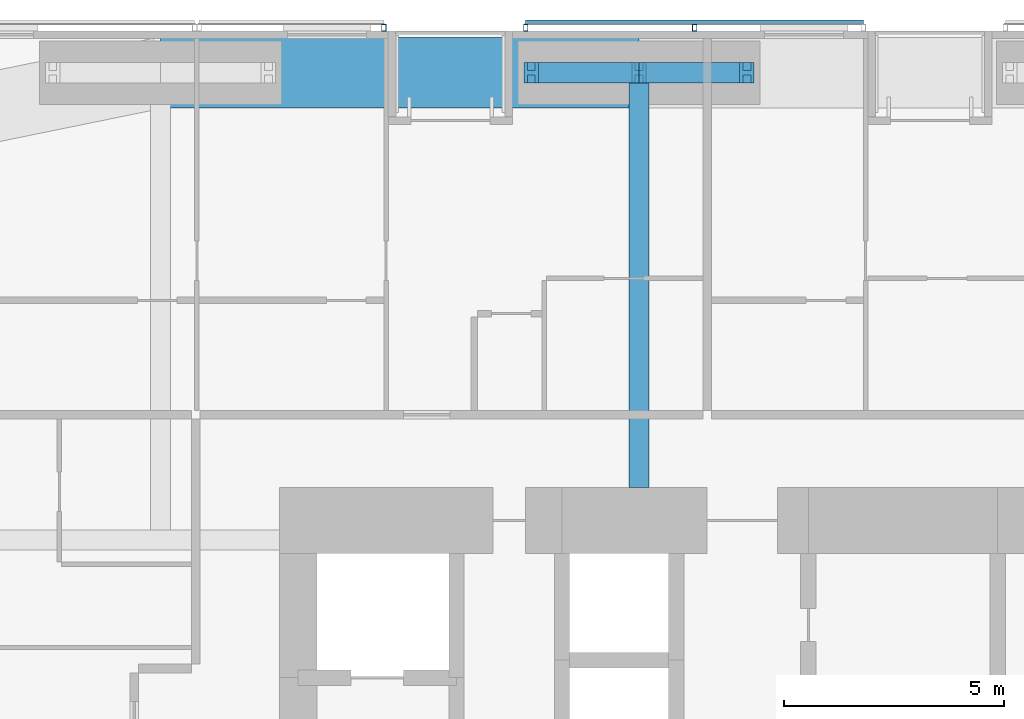
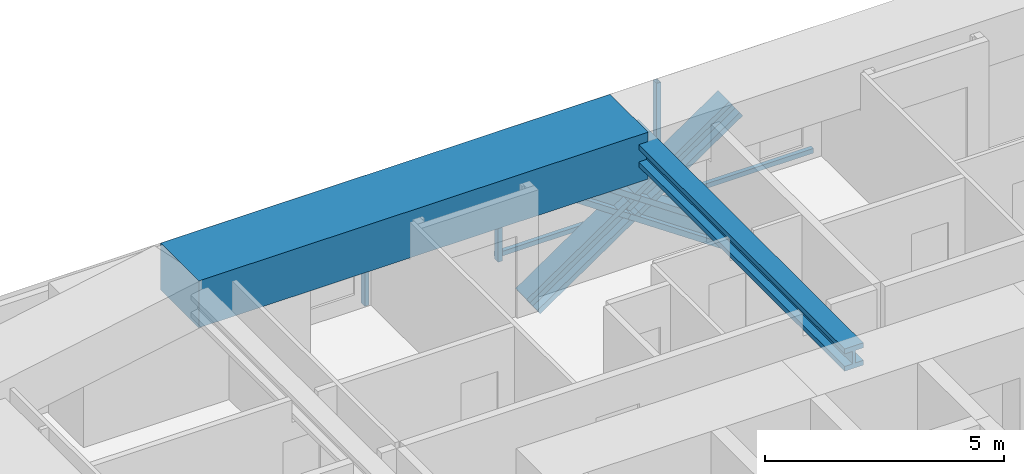
# One storey, part 13 of 24: 8 members, 2 beams, 2 elements without a shape of their own.
"""IFC4 building model written with IfcOpenShell, lengths in metres."""

from ifc_helpers import new_model, si_unit, direction, frame, origin, origin_2d, place, context, subcontext, project, spatial, rectangle, hollow_rectangle, i_section, extrude, material, material_profile, profile_set, type_object, element, aggregate, save


model = new_model("IFC4")

# Units and contexts
model_context = context("Model", 3, precision=1e-05, world=origin(), true_north=direction((0.0, 1.0)))
body_context = subcontext(model_context, "Body", "Model", "MODEL_VIEW")
ifc_project = project(units=[si_unit("LENGTHUNIT", "METRE"), si_unit("AREAUNIT", "SQUARE_METRE"), si_unit("VOLUMEUNIT", "CUBIC_METRE"), si_unit("PLANEANGLEUNIT", "RADIAN"), si_unit("MASSUNIT", "GRAM", prefix="KILO")], contexts=[model_context])

# Site, building, storey
site_placement = place(None, origin())
site = spatial("IfcSite", under=ifc_project, at=site_placement, CompositionType="ELEMENT")
building_placement = place(site_placement, origin())
building = spatial("IfcBuilding", under=site, at=building_placement, Name="Jalousie Tower", CompositionType="ELEMENT")
storey_placement = place(building_placement, frame((0.0, 0.0, 128.300048828125)))
storey = spatial("IfcBuildingStorey", under=building, at=storey_placement, Name="L35", CompositionType="ELEMENT", Elevation=128.300048828125)

# Beam
ifc_material_1 = material(Name="Steel ASTM A992 Grade 50", Category="steel")
ifc_material_profile_1 = material_profile(ifc_material_1, i_section(OverallWidth=0.45458984375, OverallDepth=0.569091796875, WebThickness=0.077880859375, FlangeThickness=0.124755859375, at=origin_2d()), Name="W14X730")
ifc_profile_set_1 = profile_set([ifc_material_profile_1], Name="Steel ASTM A992 Grade 50")
beam_type_1 = type_object("IfcBeamType", Name="LEAN COLLECTOR W14X730", PredefinedType="BEAM", material=ifc_profile_set_1)
beam_1_placement = place(storey_placement, frame((27.75, 37.050048828125, 2.825439453125), z_axis=(0.0, -1.0, 0.0), x_axis=(1.0, 0.0, 0.0)))
element("IfcBeam", 1, at=beam_1_placement, inside=storey, type_object=beam_type_1, Name="Lean collector under L36", PredefinedType="BEAM", context=body_context, shape_type="SweptSolid", body=[
    extrude(i_section(OverallWidth=0.45458984375, OverallDepth=0.569091796875, WebThickness=0.077880859375, FlangeThickness=0.124755859375, at=origin_2d()), origin(), (0.0, 0.0, 1.0), 9.425048828125),
])

# Members
ifc_material_2 = material(Name="Steel ASTM A992 Grade 50", Category="steel")
ifc_material_profile_2 = material_profile(ifc_material_2, i_section(OverallWidth=0.472412109375, OverallDepth=0.5791015625, WebThickness=0.094970703125, FlangeThickness=0.1298828125, at=origin_2d()), Name="W14X808")
ifc_profile_set_2 = profile_set([ifc_material_profile_2], Name="Steel ASTM A992 Grade 50")
member_type_1 = type_object("IfcMemberType", Name="PERIMETER BRACE W14X808", PredefinedType="BRACE", material=ifc_profile_set_2)
for number, where, z_axis, x_axis, name in (
    (2, (25.300048828125, 37.050048828125, -0.60009765625), (0.825500916831, 0.0, 0.564400776321), (0.0, 1.0, 0.0), "Perimeter brace 10 L35 part 1"),
    (3, (27.75, 37.050048828125, 1.074951171875), (0.825500916831, 0.0, 0.564400776321), (0.0, 1.0, 0.0), "Perimeter brace 10 L35 part 2"),
    (4, (30.199951171875, 37.050048828125, -0.60009765625), (-0.825500916831, 0.0, 0.564400776321), (0.0, -1.0, 0.0), "Perimeter brace 10 L35 part 3"),
    (5, (27.75, 37.050048828125, 1.074951171875), (-0.825500916831, 0.0, 0.564400776321), (0.0, -1.0, 0.0), "Perimeter brace 10 L35 part 4"),
):
    element("IfcMember", number, at=place(storey_placement, frame(where, z_axis=z_axis, x_axis=x_axis)), inside=storey, type_object=member_type_1, Name=name, PredefinedType="BRACE", context=body_context, shape_type="SweptSolid", body=[
        extrude(i_section(OverallWidth=0.472412109375, OverallDepth=0.5791015625, WebThickness=0.094970703125, FlangeThickness=0.1298828125, at=origin_2d()), origin(), (0.0, 0.0, 1.0), 2.9677734375),
    ])

# Beam
ifc_material_3 = material(Name="Concrete f'c 40 MPa", Category="concrete")
ifc_material_profile_3 = material_profile(ifc_material_3, rectangle(XDim=1.60009765625, YDim=1.199951171875, at=origin_2d()), Name="RC 1600x1200")
ifc_profile_set_3 = profile_set([ifc_material_profile_3], Name="Concrete f'c 40 MPa")
beam_type_2 = type_object("IfcBeamType", Name="RC BEAM 1600x1200", PredefinedType="BEAM", material=ifc_profile_set_3)
beam_2_placement = place(storey_placement, frame((27.75, 37.050048828125, 2.75), z_axis=(-1.0, 0.0, 0.0), x_axis=(0.0, -1.0, 0.0)))
element("IfcBeam", 6, at=beam_2_placement, inside=storey, type_object=beam_type_2, Name="Edge band beam 10-11 under L36", PredefinedType="BEAM", context=body_context, shape_type="SweptSolid", body=[
    extrude(rectangle(XDim=1.60009765625, YDim=1.199951171875, at=origin_2d()), origin(), (0.0, 0.0, 1.0), 10.875),
])

# Curtain wall, members
ifc_material_4 = material(Name="Perforated aluminium sheet", Category="aluminium")
curtain_wall_type = type_object("IfcCurtainWallType", Name="SOLAR SCREEN SS-1", PredefinedType="USERDEFINED", material=ifc_material_4)
curtain_wall_1_placement = place(storey_placement, origin())
curtain_wall_1 = element("IfcCurtainWall", 7, at=curtain_wall_1_placement, inside=storey, type_object=curtain_wall_type, Name="Solar screen L35", ObjectType="SOLAR SCREEN SS-1", PredefinedType="USERDEFINED")
ifc_material_5 = material(Name="Steel ASTM A500 Grade C", Category="steel")
ifc_material_profile_4 = material_profile(ifc_material_5, hollow_rectangle(XDim=0.1015625, YDim=0.15234375, WallThickness=0.00634765625, at=origin_2d()), Name="HSS6X4X1/4")
ifc_profile_set_4 = profile_set([ifc_material_profile_4], Name="Steel ASTM A500 Grade C")
member_type_2 = type_object("IfcMemberType", Name="SOLAR SCREEN SS-1 MULLION", PredefinedType="MULLION", material=ifc_profile_set_4)
member_1_placement = place(storey_placement, frame((29.012451171875, 38.0712890625, -0.1201171875), z_axis=(0.0, 0.0, 1.0), x_axis=(-1.0, 0.0, 0.0)))
member_1 = element("IfcMember", 8, at=member_1_placement, type_object=member_type_2, Name="SS1 post 2", PredefinedType="MULLION", context=body_context, shape_type="SweptSolid", body=[
    extrude(hollow_rectangle(XDim=0.1015625, YDim=0.15234375, WallThickness=0.00634765625, at=origin_2d()), origin(), (0.0, 0.0, 1.0), 3.22998046875),
])
member_2_placement = place(storey_placement, frame((25.175048828125, 38.0712890625, -0.1201171875), z_axis=(0.0, 0.0, 1.0), x_axis=(-1.0, 0.0, 0.0)))
member_2 = element("IfcMember", 9, at=member_2_placement, type_object=member_type_2, Name="SS1 post 3", PredefinedType="MULLION", context=body_context, shape_type="SweptSolid", body=[
    extrude(hollow_rectangle(XDim=0.1015625, YDim=0.15234375, WallThickness=0.00634765625, at=origin_2d()), origin(), (0.0, 0.0, 1.0), 3.22998046875),
])

# Curtain wall, member
curtain_wall_2_placement = place(storey_placement, origin())
curtain_wall_2 = element("IfcCurtainWall", 10, at=curtain_wall_2_placement, inside=storey, type_object=curtain_wall_type, Name="Solar screen L35", ObjectType="SOLAR SCREEN SS-1", PredefinedType="USERDEFINED")
member_3_placement = place(storey_placement, frame((21.949951171875, 38.0712890625, -0.1201171875), z_axis=(0.0, 0.0, 1.0), x_axis=(-1.0, 0.0, 0.0)))
member_3 = element("IfcMember", 11, at=member_3_placement, type_object=member_type_2, Name="SS1 post 1", PredefinedType="MULLION", context=body_context, shape_type="SweptSolid", body=[
    extrude(hollow_rectangle(XDim=0.1015625, YDim=0.15234375, WallThickness=0.00634765625, at=origin_2d()), origin(), (0.0, 0.0, 1.0), 3.22998046875),
])
aggregate(curtain_wall_2, [member_3])

# Member
ifc_material_6 = material(Name="Extruded aluminium screen rail", Category="aluminium")
ifc_material_profile_5 = material_profile(ifc_material_6, rectangle(XDim=0.1015625, YDim=0.1201171875, at=origin_2d()), Name="RAIL 102x120")
ifc_profile_set_5 = profile_set([ifc_material_profile_5], Name="Extruded aluminium screen rail")
member_type_3 = type_object("IfcMemberType", Name="SOLAR SCREEN SS-1 TRANSOM", PredefinedType="USERDEFINED", material=ifc_profile_set_5)
member_4_placement = place(storey_placement, frame((32.85009765625, 38.1982421875, -0.06005859375), z_axis=(-1.0, 0.0, 0.0), x_axis=(0.0, -1.0, 0.0)))
member_4 = element("IfcMember", 12, at=member_4_placement, type_object=member_type_3, Name="SS1 rail", ObjectType="TRANSOM", PredefinedType="USERDEFINED", context=body_context, shape_type="SweptSolid", body=[
    extrude(rectangle(XDim=0.1015625, YDim=0.1201171875, at=origin_2d()), origin(), (0.0, 0.0, 1.0), 7.675048828125),
])

aggregate(curtain_wall_1, [member_1, member_2, member_4])

save(model, "model.ifc")
